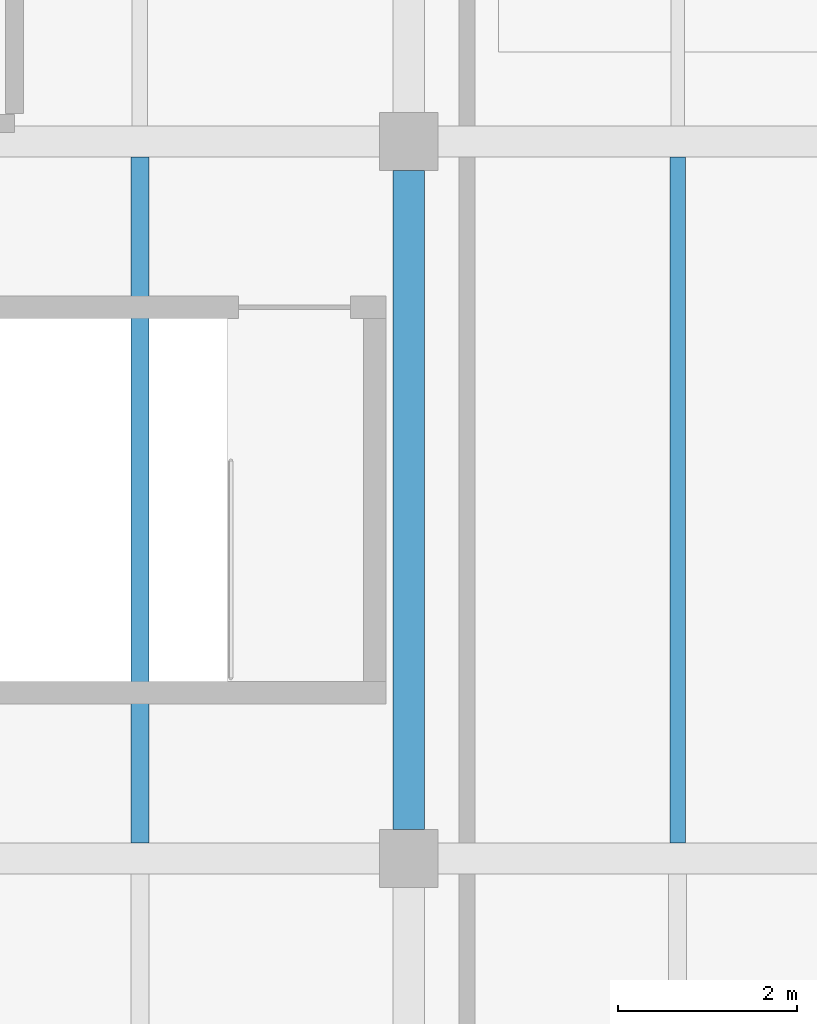
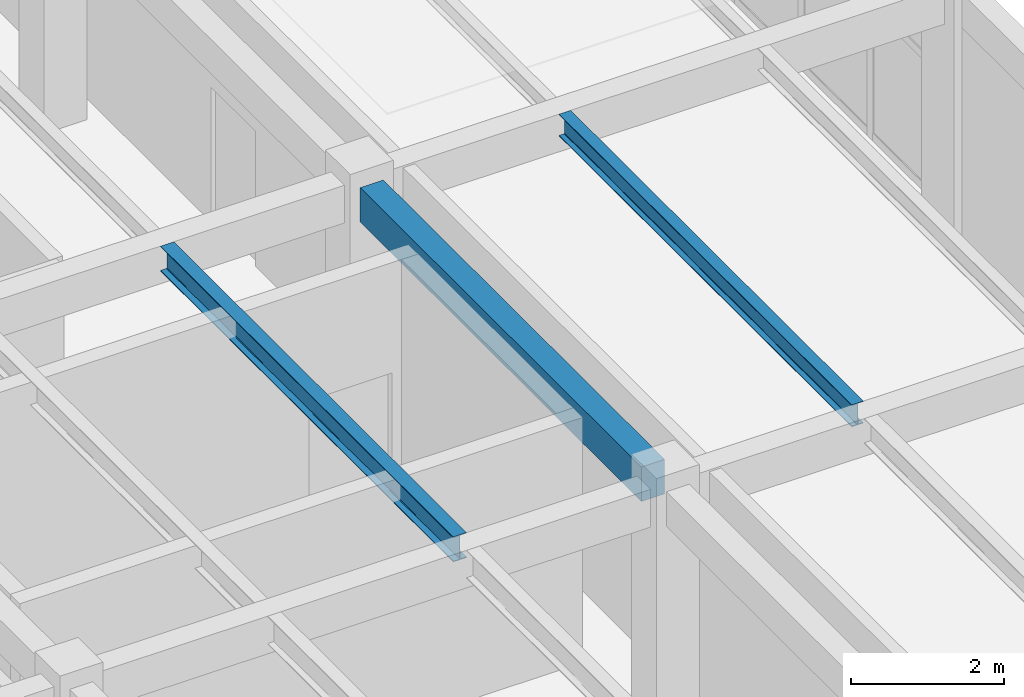
# One storey, part 20 of 71: 3 beams.
"""IFC4 building model written with IfcOpenShell, lengths in metres."""

from ifc_helpers import new_model, si_unit, derived_unit, direction, frame, origin, origin_2d, place, context, subcontext, project, spatial, rectangle, i_section, extrude, material, material_profile, profile_set, type_object, element, save


model = new_model("IFC4")

# Units and contexts
model_context = context("Model", 3, precision=1e-05, world=origin(), true_north=direction((0.0, 1.0)))
body_context = subcontext(model_context, "Body", "Model", "MODEL_VIEW")
ifc_project = project(units=[si_unit("LENGTHUNIT", "METRE"), si_unit("AREAUNIT", "SQUARE_METRE"), si_unit("VOLUMEUNIT", "CUBIC_METRE"), si_unit("PLANEANGLEUNIT", "RADIAN"), si_unit("MASSUNIT", "GRAM", prefix="KILO"), derived_unit("THERMALTRANSMITTANCEUNIT", [(si_unit("MASSUNIT", "GRAM", prefix="KILO"), 1), (si_unit("TIMEUNIT", "SECOND"), -3), (si_unit("THERMODYNAMICTEMPERATUREUNIT", "KELVIN"), -1)])], contexts=[model_context])

# Site, building, storey
site_placement = place(None, origin())
site = spatial("IfcSite", under=ifc_project, at=site_placement, CompositionType="ELEMENT")
building_placement = place(site_placement, origin())
building = spatial("IfcBuilding", under=site, at=building_placement, Name="Zhenchuan Archway Interchange", CompositionType="ELEMENT")
storey_placement = place(building_placement, frame((0.0, 0.0, 18.60009765625)))
storey = spatial("IfcBuildingStorey", under=building, at=storey_placement, Name="L04", CompositionType="ELEMENT", Elevation=18.60009765625)

# Beams
ifc_material_1 = material(Name="Concrete C40", Category="concrete")
ifc_material_profile_1 = material_profile(ifc_material_1, rectangle(XDim=0.35009765625, YDim=0.550048828125, at=origin_2d()), Name="RC 350x550")
ifc_profile_set_1 = profile_set([ifc_material_profile_1], Name="Concrete C40")
beam_type_1 = type_object("IfcBeamType", Name="BM_RC_350x550", PredefinedType="BEAM", material=ifc_profile_set_1)
beam_1_placement = place(storey_placement, frame((162.0, 16.324951171875, 3.664794921875), z_axis=(0.0, 1.0, 0.0), x_axis=(-1.0, 0.0, 0.0)))
element("IfcBeam", 1, at=beam_1_placement, inside=storey, type_object=beam_type_1, Name="Beam 19:C-D (L04)", PredefinedType="BEAM", context=body_context, shape_type="SweptSolid", body=[
    extrude(rectangle(XDim=0.35009765625, YDim=0.550048828125, at=origin_2d()), origin(), (0.0, 0.0, 1.0), 7.35009765625),
])
ifc_material_2 = material(Name="Steel Q355", Category="steel")
ifc_material_profile_2 = material_profile(ifc_material_2, i_section(OverallWidth=0.175048828125, OverallDepth=0.35009765625, WebThickness=0.007080078125, FlangeThickness=0.010986328125, FilletRadius=0.013916015625, at=origin_2d()), Name="HN 350x175")
ifc_profile_set_2 = profile_set([ifc_material_profile_2], Name="Steel Q355")
beam_type_2 = type_object("IfcBeamType", Name="JST_STL_HN350", PredefinedType="JOIST", material=ifc_profile_set_2)
beam_2_placement = place(storey_placement, frame((165.0, 16.175048828125, 3.764892578125), z_axis=(0.0, 1.0, 0.0), x_axis=(-1.0, 0.0, 0.0)))
element("IfcBeam", 2, at=beam_2_placement, inside=storey, type_object=beam_type_2, Name="Secondary joist 19-20/C-D #1 (L04)", PredefinedType="JOIST", context=body_context, shape_type="SweptSolid", body=[
    extrude(i_section(OverallWidth=0.175048828125, OverallDepth=0.35009765625, WebThickness=0.007080078125, FlangeThickness=0.010986328125, FilletRadius=0.013916015625, at=origin_2d()), origin(), (0.0, 0.0, 1.0), 7.64990234375),
])
ifc_material_profile_3 = material_profile(ifc_material_2, i_section(OverallWidth=0.199951171875, OverallDepth=0.39990234375, WebThickness=0.008056640625, FlangeThickness=0.012939453125, FilletRadius=0.01611328125, at=origin_2d()), Name="HN 400x200")
ifc_profile_set_3 = profile_set([ifc_material_profile_3], Name="Steel Q355")
beam_type_3 = type_object("IfcBeamType", Name="JST_STL_HN400", PredefinedType="JOIST", material=ifc_profile_set_3)
beam_3_placement = place(storey_placement, frame((159.0, 16.175048828125, 3.739990234375), z_axis=(0.0, 1.0, 0.0), x_axis=(-1.0, 0.0, 0.0)))
element("IfcBeam", 3, at=beam_3_placement, inside=storey, type_object=beam_type_3, Name="Secondary joist 18-19/C-D #2 (L04)", PredefinedType="JOIST", context=body_context, shape_type="SweptSolid", body=[
    extrude(i_section(OverallWidth=0.199951171875, OverallDepth=0.39990234375, WebThickness=0.008056640625, FlangeThickness=0.012939453125, FilletRadius=0.01611328125, at=origin_2d()), origin(), (0.0, 0.0, 1.0), 7.64990234375),
])

save(model, "model.ifc")
